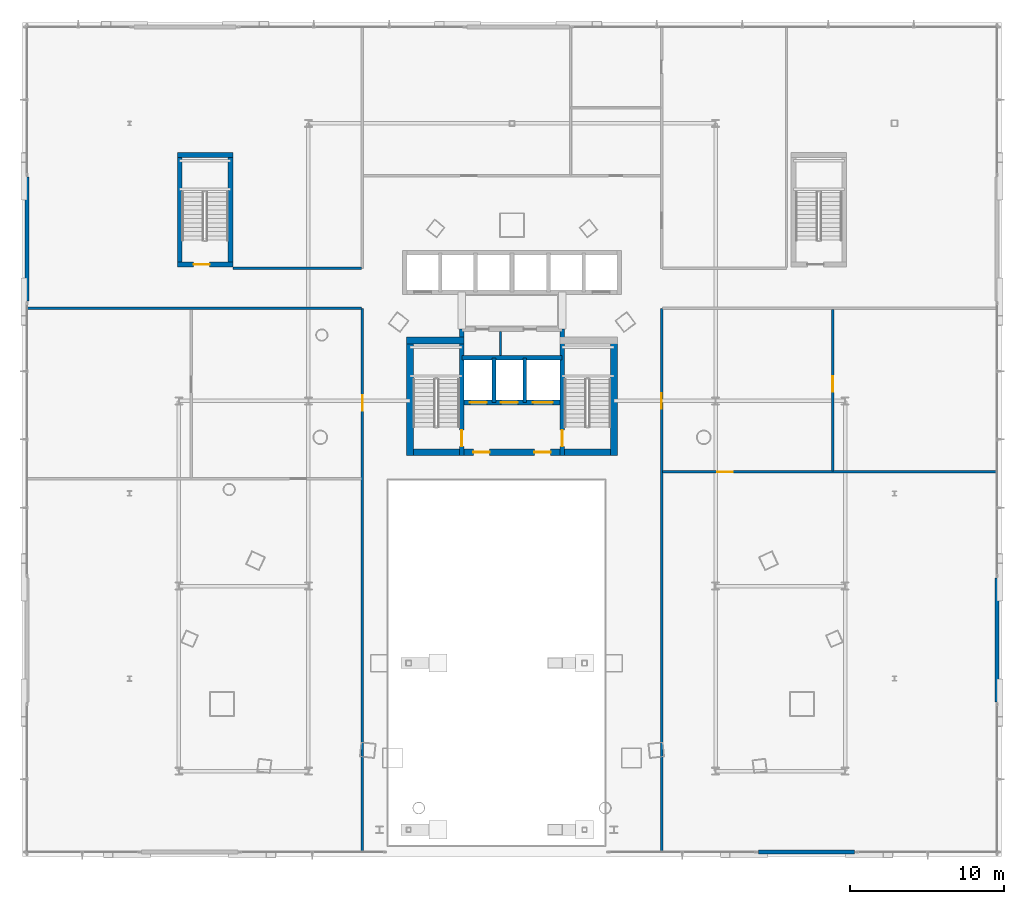
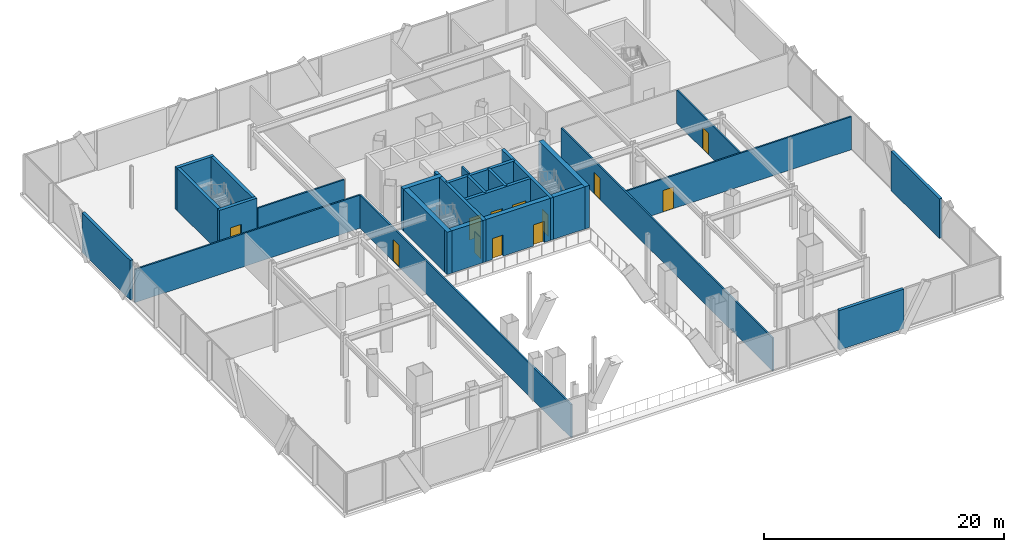
# One storey, part 33 of 42: 24 walls, 12 doors, 12 openings.
"""IFC4 building model written with IfcOpenShell, lengths in metres."""

from ifc_helpers import new_model, si_unit, direction, frame, frame_2d, origin, place, context, subcontext, project, spatial, rectangle, extrude, material, layer, layer_set, type_object, element, fill, save


model = new_model("IFC4")

# Units and contexts
model_context = context("Model", 3, precision=1e-05, world=origin(), true_north=direction((0.0, 1.0)))
body_context = subcontext(model_context, "Body", "Model", "MODEL_VIEW")
ifc_project = project(units=[si_unit("LENGTHUNIT", "METRE"), si_unit("AREAUNIT", "SQUARE_METRE"), si_unit("VOLUMEUNIT", "CUBIC_METRE"), si_unit("PLANEANGLEUNIT", "RADIAN"), si_unit("MASSUNIT", "GRAM", prefix="KILO")], contexts=[model_context])

# Site, building, storey
site_placement = place(None, origin())
site = spatial("IfcSite", under=ifc_project, at=site_placement, CompositionType="ELEMENT")
building_placement = place(site_placement, origin())
building = spatial("IfcBuilding", under=site, at=building_placement, Name="Orvanel Arch Residences", CompositionType="ELEMENT")
storey_placement = place(building_placement, frame((0.0, 0.0, 5.5)))
storey = spatial("IfcBuildingStorey", under=building, at=storey_placement, Name="L01", CompositionType="ELEMENT", Elevation=5.5)

# Walls
ifc_material_1 = material(Name="Precast concrete N50 (50 MPa)", Category="concrete")
ifc_layer_1 = layer(ifc_material_1, 0.280029296875)
ifc_layer_set_1 = layer_set([ifc_layer_1], Name="Precast concrete N50 (50 MPa)")
wall_type_1 = type_object("IfcWallType", Name="EW-POD-280", PredefinedType="SOLIDWALL", material=ifc_layer_set_1)
wall_1_placement = place(storey_placement, frame((55.219970703125, 0.75, 0.0), z_axis=(0.0, 0.0, 1.0), x_axis=(-1.0, 0.0, 0.0)))
element("IfcWall", 1, at=wall_1_placement, inside=storey, type_object=wall_type_1, Name="L01 Podium Solid Spandrel Panel Wall SEP", PredefinedType="SOLIDWALL", context=body_context, shape_type="SweptSolid", body=[
    extrude(rectangle(XDim=6.239990234375, YDim=0.280029296875, at=frame_2d((3.1201171875, 0.0))), origin(), (0.0, 0.0, 1.0), 4.02001953125),
])
for number, where, z_axis, x_axis, name in (
    (2, (64.449951171875, 10.47998046875, 0.0), (0.0, 0.0, 1.0), (0.0, 1.0, 0.0), "L01 Podium Solid E Panel Wall 1"),
    (3, (1.550048828125, 44.52001953125, 0.0), (0.0, 0.0, 1.0), (0.0, -1.0, 0.0), "L01 Podium Solid W Panel Wall 2"),
):
    element("IfcWall", number, at=place(storey_placement, frame(where, z_axis=z_axis, x_axis=x_axis)), inside=storey, type_object=wall_type_1, Name=name, PredefinedType="SOLIDWALL", context=body_context, shape_type="SweptSolid", body=[
        extrude(rectangle(XDim=8.0400390625, YDim=0.280029296875, at=frame_2d((4.02001953125, 0.0))), origin(), (0.0, 0.0, 1.0), 4.02001953125),
    ])
ifc_material_2 = material(Name="Concrete N50 (50 MPa)", Category="concrete")
ifc_layer_2 = layer(ifc_material_2, 0.25)
ifc_layer_set_2 = layer_set([ifc_layer_2], Name="Concrete N50 (50 MPa)")
wall_type_2 = type_object("IfcWallType", Name="SW-CORE-250", PredefinedType="SHEAR", material=ifc_layer_set_2)
for number, where, z_axis, x_axis, name in (
    (4, (31.824951171875, 29.89990234375, 0.0), (0.0, 0.0, 1.0), (0.0, 1.0, 0.0), "L01 Emergency Lift Inter-Shaft Wall F12"),
    (5, (33.824951171875, 29.89990234375, 0.0), (0.0, 0.0, 1.0), (0.0, 1.0, 0.0), "L01 Emergency Lift Inter-Shaft Wall F2G"),
):
    element("IfcWall", number, at=place(storey_placement, frame(where, z_axis=z_axis, x_axis=x_axis)), inside=storey, type_object=wall_type_2, Name=name, PredefinedType="SHEAR", context=body_context, shape_type="SweptSolid", body=[
        extrude(rectangle(XDim=2.900146484375, YDim=0.25, at=frame_2d((1.4501953125, 0.0))), origin(), (0.0, 0.0, 1.0), 4.300048828125),
    ])

# Wall, opening, door
ifc_material_3 = material(Name="Concrete S80 (80 MPa)", Category="concrete")
ifc_layer_3 = layer(ifc_material_3, 0.300048828125)
ifc_layer_set_3 = layer_set([ifc_layer_3], Name="Concrete S80 (80 MPa)")
wall_type_3 = type_object("IfcWallType", Name="SW-CORE-300", PredefinedType="SHEAR", material=ifc_layer_set_3)
wall_2_placement = place(storey_placement, frame((29.75, 26.449951171875, 0.0), z_axis=(0.0, 0.0, 1.0), x_axis=(0.0, 1.0, 0.0)))
wall_2 = element("IfcWall", 6, at=wall_2_placement, inside=storey, type_object=wall_type_3, Name="L01 West Inner Core Spine Shear Wall", PredefinedType="SHEAR", context=body_context, shape_type="SweptSolid", body=[
    extrude(rectangle(XDim=8.199951171875, YDim=0.300048828125, at=frame_2d((4.10009765625, 0.0))), origin(), (0.0, 0.0, 1.0), 4.300048828125),
])
opening_1_placement = place(wall_2_placement, frame((0.60009765625, 0.0, 0.0)))
opening_1 = element("IfcOpeningElement", 7, at=opening_1_placement, cuts=wall_2, Name="Opening DF-120", PredefinedType="OPENING", context=body_context, shape_type="SweptSolid", body=[
    extrude(rectangle(XDim=1.050048828125, YDim=2.14990234375, at=frame_2d((0.52490234375, 1.074951171875))), frame((0.0, 0.159912109375, 0.0), z_axis=(0.0, -1.0, 0.0), x_axis=(1.0, 0.0, 0.0)), (0.0, 0.0, 1.0), 0.320068359375),
])
ifc_material_4 = material(Name="Galvanised steel fire-resisting door assembly", Category="steel")
door_type_1 = type_object("IfcDoorType", Name="DR-FD120-1050", OperationType="NOTDEFINED", PredefinedType="DOOR", material=ifc_material_4)
door_1_placement = place(opening_1_placement, origin())
door_1 = element("IfcDoor", 8, at=door_1_placement, inside=storey, type_object=door_type_1, Name="DR-L01-ST1 L01 Stair 1 Fire Door", OperationType="SINGLE_SWING_LEFT", OverallHeight=2.14990234375, OverallWidth=1.050048828125, PredefinedType="DOOR", context=body_context, shape_type="SweptSolid", body=[
    extrude(rectangle(XDim=1.050048828125, YDim=2.14990234375, at=frame_2d((0.52490234375, 1.074951171875))), frame((0.0, 0.02490234375, 0.0), z_axis=(0.0, -1.0, 0.0), x_axis=(1.0, 0.0, 0.0)), (0.0, 0.0, 1.0), 0.050048828125),
])
fill(opening_1, door_1)

wall_3_placement = place(storey_placement, frame((36.25, 26.449951171875, 0.0), z_axis=(0.0, 0.0, 1.0), x_axis=(0.0, 1.0, 0.0)))
wall_3 = element("IfcWall", 9, at=wall_3_placement, inside=storey, type_object=wall_type_3, Name="L01 East Inner Core Spine Shear Wall", PredefinedType="SHEAR", context=body_context, shape_type="SweptSolid", body=[
    extrude(rectangle(XDim=8.199951171875, YDim=0.300048828125, at=frame_2d((4.10009765625, 0.0))), origin(), (0.0, 0.0, 1.0), 4.300048828125),
])
opening_2_placement = place(wall_3_placement, frame((0.60009765625, 0.0, 0.0)))
opening_2 = element("IfcOpeningElement", 10, at=opening_2_placement, cuts=wall_3, Name="Opening DF-120", PredefinedType="OPENING", context=body_context, shape_type="SweptSolid", body=[
    extrude(rectangle(XDim=1.050048828125, YDim=2.14990234375, at=frame_2d((0.52490234375, 1.074951171875))), frame((0.0, 0.159912109375, 0.0), z_axis=(0.0, -1.0, 0.0), x_axis=(1.0, 0.0, 0.0)), (0.0, 0.0, 1.0), 0.320068359375),
])
door_2_placement = place(opening_2_placement, origin())
door_2 = element("IfcDoor", 11, at=door_2_placement, inside=storey, type_object=door_type_1, Name="DR-L01-ST2 L01 Stair 2 Fire Door", OperationType="SINGLE_SWING_RIGHT", OverallHeight=2.14990234375, OverallWidth=1.050048828125, PredefinedType="DOOR", context=body_context, shape_type="SweptSolid", body=[
    extrude(rectangle(XDim=1.050048828125, YDim=2.14990234375, at=frame_2d((0.52490234375, 1.074951171875))), frame((0.0, 0.02490234375, 0.0), z_axis=(0.0, -1.0, 0.0), x_axis=(1.0, 0.0, 0.0)), (0.0, 0.0, 1.0), 0.050048828125),
])
fill(opening_2, door_2)

# Wall, openings, doors
wall_4_placement = place(storey_placement, frame((36.25, 29.89990234375, 0.0), z_axis=(0.0, 0.0, 1.0), x_axis=(-1.0, 0.0, 0.0)))
wall_4 = element("IfcWall", 12, at=wall_4_placement, inside=storey, type_object=wall_type_3, Name="L01 Emergency Lift Front Core Shear Wall", PredefinedType="SHEAR", context=body_context, shape_type="SweptSolid", body=[
    extrude(rectangle(XDim=6.5, YDim=0.300048828125, at=frame_2d((3.25, 0.0))), origin(), (0.0, 0.0, 1.0), 4.300048828125),
])
opening_3_placement = place(wall_4_placement, frame((4.875, 0.0, 0.0)))
opening_3 = element("IfcOpeningElement", 13, at=opening_3_placement, cuts=wall_4, Name="Opening LD-110", PredefinedType="OPENING", context=body_context, shape_type="SweptSolid", body=[
    extrude(rectangle(XDim=1.10009765625, YDim=2.199951171875, at=frame_2d((0.550048828125, 1.10009765625))), frame((0.0, 0.159912109375, 0.0), z_axis=(0.0, -1.0, 0.0), x_axis=(1.0, 0.0, 0.0)), (0.0, 0.0, 1.0), 0.320068359375),
])
opening_4_placement = place(wall_4_placement, frame((2.875, 0.0, 0.0)))
opening_4 = element("IfcOpeningElement", 14, at=opening_4_placement, cuts=wall_4, Name="Opening LD-110", PredefinedType="OPENING", context=body_context, shape_type="SweptSolid", body=[
    extrude(rectangle(XDim=1.10009765625, YDim=2.199951171875, at=frame_2d((0.550048828125, 1.10009765625))), frame((0.0, 0.159912109375, 0.0), z_axis=(0.0, -1.0, 0.0), x_axis=(1.0, 0.0, 0.0)), (0.0, 0.0, 1.0), 0.320068359375),
])
opening_5_placement = place(wall_4_placement, frame((0.60009765625, 0.0, 0.0)))
opening_5 = element("IfcOpeningElement", 15, at=opening_5_placement, cuts=wall_4, Name="Opening LD-130", PredefinedType="OPENING", context=body_context, shape_type="SweptSolid", body=[
    extrude(rectangle(XDim=1.300048828125, YDim=2.199951171875, at=frame_2d((0.64990234375, 1.10009765625))), frame((0.0, 0.159912109375, 0.0), z_axis=(0.0, -1.0, 0.0), x_axis=(1.0, 0.0, 0.0)), (0.0, 0.0, 1.0), 0.320068359375),
])
door_type_2 = type_object("IfcDoorType", Name="DR-LFT-1100", OperationType="NOTDEFINED", PredefinedType="DOOR", material=ifc_material_4)
door_3_placement = place(opening_3_placement, origin())
door_3 = element("IfcDoor", 16, at=door_3_placement, inside=storey, type_object=door_type_2, Name="LD-F1-L01 L01 Lift F1 Sliding Landing Door", OperationType="DOUBLE_DOOR_SLIDING", OverallHeight=2.199951171875, OverallWidth=1.10009765625, PredefinedType="DOOR", context=body_context, shape_type="SweptSolid", body=[
    extrude(rectangle(XDim=1.10009765625, YDim=2.199951171875, at=frame_2d((0.550048828125, 1.10009765625))), frame((0.0, 0.02490234375, 0.0), z_axis=(0.0, -1.0, 0.0), x_axis=(1.0, 0.0, 0.0)), (0.0, 0.0, 1.0), 0.050048828125),
])
fill(opening_3, door_3)
door_4_placement = place(opening_4_placement, origin())
door_4 = element("IfcDoor", 17, at=door_4_placement, inside=storey, type_object=door_type_2, Name="LD-F2-L01 L01 Lift F2 Sliding Landing Door", OperationType="DOUBLE_DOOR_SLIDING", OverallHeight=2.199951171875, OverallWidth=1.10009765625, PredefinedType="DOOR", context=body_context, shape_type="SweptSolid", body=[
    extrude(rectangle(XDim=1.10009765625, YDim=2.199951171875, at=frame_2d((0.550048828125, 1.10009765625))), frame((0.0, 0.02490234375, 0.0), z_axis=(0.0, -1.0, 0.0), x_axis=(1.0, 0.0, 0.0)), (0.0, 0.0, 1.0), 0.050048828125),
])
fill(opening_4, door_4)
door_type_3 = type_object("IfcDoorType", Name="DR-LFT-1300", OperationType="NOTDEFINED", PredefinedType="DOOR", material=ifc_material_4)
door_5_placement = place(opening_5_placement, origin())
door_5 = element("IfcDoor", 18, at=door_5_placement, inside=storey, type_object=door_type_3, Name="LD-G1-L01 L01 Lift G1 Sliding Landing Door", OperationType="DOUBLE_DOOR_SLIDING", OverallHeight=2.199951171875, OverallWidth=1.300048828125, PredefinedType="DOOR", context=body_context, shape_type="SweptSolid", body=[
    extrude(rectangle(XDim=1.300048828125, YDim=2.199951171875, at=frame_2d((0.64990234375, 1.10009765625))), frame((0.0, 0.02490234375, 0.0), z_axis=(0.0, -1.0, 0.0), x_axis=(1.0, 0.0, 0.0)), (0.0, 0.0, 1.0), 0.050048828125),
])
fill(opening_5, door_5)

# Walls
wall_5_placement = place(storey_placement, frame((29.75, 32.800048828125, 0.0), z_axis=(0.0, 0.0, 1.0), x_axis=(1.0, 0.0, 0.0)))
element("IfcWall", 19, at=wall_5_placement, inside=storey, type_object=wall_type_3, Name="L01 Emergency Lift Back Core Shear Wall", PredefinedType="SHEAR", context=body_context, shape_type="SweptSolid", body=[
    extrude(rectangle(XDim=6.5, YDim=0.300048828125, at=frame_2d((3.25, 0.0))), origin(), (0.0, 0.0, 1.0), 4.300048828125),
])
for number, where, z_axis, x_axis, name in (
    (20, (11.449951171875, 38.699951171875, 0.0), (0.0, 0.0, 1.0), (0.0, 1.0, 0.0), "L01 ST3 West Shear Wall"),
    (21, (14.75, 38.699951171875, 0.0), (0.0, 0.0, 1.0), (0.0, 1.0, 0.0), "L01 ST3 East Shear Wall"),
):
    element("IfcWall", number, at=place(storey_placement, frame(where, z_axis=z_axis, x_axis=x_axis)), inside=storey, type_object=wall_type_3, Name=name, PredefinedType="SHEAR", context=body_context, shape_type="SweptSolid", body=[
        extrude(rectangle(XDim=7.400146484375, YDim=0.300048828125, at=frame_2d((3.7001953125, 0.0))), origin(), (0.0, 0.0, 1.0), 4.300048828125),
    ])
wall_6_placement = place(storey_placement, frame((11.300048828125, 45.949951171875, 0.0), z_axis=(0.0, 0.0, 1.0), x_axis=(1.0, 0.0, 0.0)))
element("IfcWall", 22, at=wall_6_placement, inside=storey, type_object=wall_type_3, Name="L01 ST3 North Shear Wall", PredefinedType="SHEAR", context=body_context, shape_type="SweptSolid", body=[
    extrude(rectangle(XDim=3.599853515625, YDim=0.300048828125, at=frame_2d((1.7998046875, 0.0))), origin(), (0.0, 0.0, 1.0), 4.300048828125),
])

# Wall, opening, door
wall_7_placement = place(storey_placement, frame((11.300048828125, 38.85009765625, 0.0), z_axis=(0.0, 0.0, 1.0), x_axis=(1.0, 0.0, 0.0)))
wall_7 = element("IfcWall", 23, at=wall_7_placement, inside=storey, type_object=wall_type_3, Name="L01 ST3 South Shear Wall", PredefinedType="SHEAR", context=body_context, shape_type="SweptSolid", body=[
    extrude(rectangle(XDim=3.599853515625, YDim=0.300048828125, at=frame_2d((1.7998046875, 0.0))), origin(), (0.0, 0.0, 1.0), 4.300048828125),
])
opening_6_placement = place(wall_7_placement, frame((1.050048828125, 0.0, 0.0)))
opening_6 = element("IfcOpeningElement", 24, at=opening_6_placement, cuts=wall_7, Name="Opening DF-120", PredefinedType="OPENING", context=body_context, shape_type="SweptSolid", body=[
    extrude(rectangle(XDim=1.050048828125, YDim=2.14990234375, at=frame_2d((0.52490234375, 1.074951171875))), frame((0.0, 0.159912109375, 0.0), z_axis=(0.0, -1.0, 0.0), x_axis=(1.0, 0.0, 0.0)), (0.0, 0.0, 1.0), 0.320068359375),
])
door_6_placement = place(opening_6_placement, origin())
door_6 = element("IfcDoor", 25, at=door_6_placement, inside=storey, type_object=door_type_1, Name="DR-L01-ST3 L01 ST3 Exit Door", OperationType="SINGLE_SWING_LEFT", OverallHeight=2.14990234375, OverallWidth=1.050048828125, PredefinedType="DOOR", context=body_context, shape_type="SweptSolid", body=[
    extrude(rectangle(XDim=1.050048828125, YDim=2.14990234375, at=frame_2d((0.52490234375, 1.074951171875))), frame((0.0, 0.02490234375, 0.0), z_axis=(0.0, -1.0, 0.0), x_axis=(1.0, 0.0, 0.0)), (0.0, 0.0, 1.0), 0.050048828125),
])
fill(opening_6, door_6)

# Wall, openings, doors
ifc_layer_4 = layer(ifc_material_3, 0.449951171875)
ifc_layer_set_4 = layer_set([ifc_layer_4], Name="Concrete S80 (80 MPa)")
wall_type_4 = type_object("IfcWallType", Name="SW-CORE-450", PredefinedType="SHEAR", material=ifc_layer_set_4)
wall_8_placement = place(storey_placement, frame((26.14990234375, 26.675048828125, 0.0), z_axis=(0.0, 0.0, 1.0), x_axis=(1.0, 0.0, 0.0)))
wall_8 = element("IfcWall", 26, at=wall_8_placement, inside=storey, type_object=wall_type_4, Name="L01 South Core Shear Wall", PredefinedType="SHEAR", context=body_context, shape_type="SweptSolid", body=[
    extrude(rectangle(XDim=13.7001953125, YDim=0.449951171875, at=frame_2d((6.85009765625, 0.0))), origin(), (0.0, 0.0, 1.0), 4.300048828125),
])
opening_7_placement = place(wall_8_placement, frame((4.35009765625, 0.0, 0.0)))
opening_7 = element("IfcOpeningElement", 27, at=opening_7_placement, cuts=wall_8, Name="Opening DF-060", PredefinedType="OPENING", context=body_context, shape_type="SweptSolid", body=[
    extrude(rectangle(XDim=1.050048828125, YDim=2.14990234375, at=frame_2d((0.52490234375, 1.074951171875))), frame((0.0, 0.23486328125, 0.0), z_axis=(0.0, -1.0, 0.0), x_axis=(1.0, 0.0, 0.0)), (0.0, 0.0, 1.0), 0.469970703125),
])
opening_8_placement = place(wall_8_placement, frame((8.300048828125, 0.0, 0.0)))
opening_8 = element("IfcOpeningElement", 28, at=opening_8_placement, cuts=wall_8, Name="Opening DF-060", PredefinedType="OPENING", context=body_context, shape_type="SweptSolid", body=[
    extrude(rectangle(XDim=1.050048828125, YDim=2.14990234375, at=frame_2d((0.52490234375, 1.074951171875))), frame((0.0, 0.23486328125, 0.0), z_axis=(0.0, -1.0, 0.0), x_axis=(1.0, 0.0, 0.0)), (0.0, 0.0, 1.0), 0.469970703125),
])
door_type_4 = type_object("IfcDoorType", Name="DR-FD60-1050", OperationType="NOTDEFINED", PredefinedType="DOOR", material=ifc_material_4)
door_7_placement = place(opening_7_placement, origin())
door_7 = element("IfcDoor", 29, at=door_7_placement, inside=storey, type_object=door_type_4, Name="DR-L01-FFL-W L01 West Smoke Lobby Door", OperationType="SINGLE_SWING_LEFT", OverallHeight=2.14990234375, OverallWidth=1.050048828125, PredefinedType="DOOR", context=body_context, shape_type="SweptSolid", body=[
    extrude(rectangle(XDim=1.050048828125, YDim=2.14990234375, at=frame_2d((0.52490234375, 1.074951171875))), frame((0.0, 0.02490234375, 0.0), z_axis=(0.0, -1.0, 0.0), x_axis=(1.0, 0.0, 0.0)), (0.0, 0.0, 1.0), 0.050048828125),
])
fill(opening_7, door_7)
door_8_placement = place(opening_8_placement, origin())
door_8 = element("IfcDoor", 30, at=door_8_placement, inside=storey, type_object=door_type_4, Name="DR-L01-FFL-E L01 East Smoke Lobby Door", OperationType="SINGLE_SWING_RIGHT", OverallHeight=2.14990234375, OverallWidth=1.050048828125, PredefinedType="DOOR", context=body_context, shape_type="SweptSolid", body=[
    extrude(rectangle(XDim=1.050048828125, YDim=2.14990234375, at=frame_2d((0.52490234375, 1.074951171875))), frame((0.0, 0.02490234375, 0.0), z_axis=(0.0, -1.0, 0.0), x_axis=(1.0, 0.0, 0.0)), (0.0, 0.0, 1.0), 0.050048828125),
])
fill(opening_8, door_8)

# Walls
wall_9_placement = place(storey_placement, frame((26.375, 26.449951171875, 0.0), z_axis=(0.0, 0.0, 1.0), x_axis=(0.0, 1.0, 0.0)))
element("IfcWall", 31, at=wall_9_placement, inside=storey, type_object=wall_type_4, Name="L01 West Stair Shear Wall", PredefinedType="SHEAR", context=body_context, shape_type="SweptSolid", body=[
    extrude(rectangle(XDim=7.699951171875, YDim=0.449951171875, at=frame_2d((3.85009765625, 0.0))), origin(), (0.0, 0.0, 1.0), 4.300048828125),
])
wall_10_placement = place(storey_placement, frame((26.14990234375, 33.925048828125, 0.0), z_axis=(0.0, 0.0, 1.0), x_axis=(1.0, 0.0, 0.0)))
element("IfcWall", 32, at=wall_10_placement, inside=storey, type_object=wall_type_4, Name="L01 West Stair North Shear Wall", PredefinedType="SHEAR", context=body_context, shape_type="SweptSolid", body=[
    extrude(rectangle(XDim=3.75, YDim=0.449951171875, at=frame_2d((1.875, 0.0))), origin(), (0.0, 0.0, 1.0), 4.300048828125),
])
wall_11_placement = place(storey_placement, frame((39.625, 26.449951171875, 0.0), z_axis=(0.0, 0.0, 1.0), x_axis=(0.0, 1.0, 0.0)))
element("IfcWall", 33, at=wall_11_placement, inside=storey, type_object=wall_type_4, Name="L01 East Stair Shear Wall", PredefinedType="SHEAR", context=body_context, shape_type="SweptSolid", body=[
    extrude(rectangle(XDim=7.699951171875, YDim=0.449951171875, at=frame_2d((3.85009765625, 0.0))), origin(), (0.0, 0.0, 1.0), 4.300048828125),
])

# Wall, opening, door
ifc_material_5 = material(Name="Acoustic plasterboard lined twin-stud partition", Category="gypsum")
ifc_layer_5 = layer(ifc_material_5, 0.14990234375)
ifc_layer_set_5 = layer_set([ifc_layer_5], Name="Acoustic plasterboard lined twin-stud partition")
wall_type_5 = type_object("IfcWallType", Name="W-POD-150", PredefinedType="PARTITIONING", material=ifc_layer_set_5)
wall_12_placement = place(storey_placement, frame((23.300048828125, 0.764892578125, 0.0), z_axis=(0.0, 0.0, 1.0), x_axis=(0.0, 1.0, 0.0)))
wall_12 = element("IfcWall", 34, at=wall_12_placement, inside=storey, type_object=wall_type_5, Name="L01 West Wing Corridor Wall", PredefinedType="PARTITIONING", context=body_context, shape_type="SweptSolid", body=[
    extrude(rectangle(XDim=35.235107421875, YDim=0.14990234375, at=frame_2d((17.61767578125, 0.0))), origin(), (0.0, 0.0, 1.0), 3.373046875),
])
opening_9_placement = place(wall_12_placement, frame((28.610107421875, 0.0, 0.0)))
opening_9 = element("IfcOpeningElement", 35, at=opening_9_placement, cuts=wall_12, Name="Opening DP-100", PredefinedType="OPENING", context=body_context, shape_type="SweptSolid", body=[
    extrude(rectangle(XDim=1.0, YDim=2.199951171875, at=frame_2d((0.5, 1.10009765625))), frame((0.0, 0.0849609375, 0.0), z_axis=(0.0, -1.0, 0.0), x_axis=(1.0, 0.0, 0.0)), (0.0, 0.0, 1.0), 0.169921875),
])
ifc_material_6 = material(Name="Solid-core European oak veneer fire door leaf", Category="wood")
door_type_5 = type_object("IfcDoorType", Name="DR-POD-1000", OperationType="NOTDEFINED", PredefinedType="DOOR", material=ifc_material_6)
door_9_placement = place(opening_9_placement, origin())
door_9 = element("IfcDoor", 36, at=door_9_placement, inside=storey, type_object=door_type_5, Name="DR-L01-SWA L01 Allied Health Consulting Suite Door", OperationType="SINGLE_SWING_LEFT", OverallHeight=2.199951171875, OverallWidth=1.0, PredefinedType="DOOR", context=body_context, shape_type="SweptSolid", body=[
    extrude(rectangle(XDim=1.0, YDim=2.199951171875, at=frame_2d((0.5, 1.10009765625))), frame((0.0, 0.02490234375, 0.0), z_axis=(0.0, -1.0, 0.0), x_axis=(1.0, 0.0, 0.0)), (0.0, 0.0, 1.0), 0.050048828125),
])
fill(opening_9, door_9)

# Wall
wall_13_placement = place(storey_placement, frame((1.56494140625, 36.0, 0.0), z_axis=(0.0, 0.0, 1.0), x_axis=(1.0, 0.0, 0.0)))
element("IfcWall", 37, at=wall_13_placement, inside=storey, type_object=wall_type_5, Name="L01 West Wing North Wall", PredefinedType="PARTITIONING", context=body_context, shape_type="SweptSolid", body=[
    extrude(rectangle(XDim=21.675048828125, YDim=0.14990234375, at=frame_2d((10.83740234375, 0.0))), origin(), (0.0, 0.0, 1.0), 3.373046875),
])

# Wall, opening, door
wall_14_placement = place(storey_placement, frame((42.699951171875, 0.764892578125, 0.0), z_axis=(0.0, 0.0, 1.0), x_axis=(0.0, 1.0, 0.0)))
wall_14 = element("IfcWall", 38, at=wall_14_placement, inside=storey, type_object=wall_type_5, Name="L01 East Wing Corridor Wall", PredefinedType="PARTITIONING", context=body_context, shape_type="SweptSolid", body=[
    extrude(rectangle(XDim=35.235107421875, YDim=0.14990234375, at=frame_2d((17.61767578125, 0.0))), origin(), (0.0, 0.0, 1.0), 3.373046875),
])
opening_10_placement = place(wall_14_placement, frame((28.735107421875, 0.0, 0.0)))
opening_10 = element("IfcOpeningElement", 39, at=opening_10_placement, cuts=wall_14, Name="Opening DP-100", PredefinedType="OPENING", context=body_context, shape_type="SweptSolid", body=[
    extrude(rectangle(XDim=1.0, YDim=2.199951171875, at=frame_2d((0.5, 1.10009765625))), frame((0.0, 0.0849609375, 0.0), z_axis=(0.0, -1.0, 0.0), x_axis=(1.0, 0.0, 0.0)), (0.0, 0.0, 1.0), 0.169921875),
])
door_10_placement = place(opening_10_placement, origin())
door_10 = element("IfcDoor", 40, at=door_10_placement, inside=storey, type_object=door_type_5, Name="DR-L01-SEA L01 Pathology Specimen Clinic Door", OperationType="SINGLE_SWING_RIGHT", OverallHeight=2.199951171875, OverallWidth=1.0, PredefinedType="DOOR", context=body_context, shape_type="SweptSolid", body=[
    extrude(rectangle(XDim=1.0, YDim=2.199951171875, at=frame_2d((0.5, 1.10009765625))), frame((0.0, 0.02490234375, 0.0), z_axis=(0.0, -1.0, 0.0), x_axis=(1.0, 0.0, 0.0)), (0.0, 0.0, 1.0), 0.050048828125),
])
fill(opening_10, door_10)

wall_15_placement = place(storey_placement, frame((42.760009765625, 25.39990234375, 0.0), z_axis=(0.0, 0.0, 1.0), x_axis=(1.0, 0.0, 0.0)))
wall_15 = element("IfcWall", 41, at=wall_15_placement, inside=storey, type_object=wall_type_5, Name="L01 East Wing Split Wall", PredefinedType="PARTITIONING", context=body_context, shape_type="SweptSolid", body=[
    extrude(rectangle(XDim=21.675048828125, YDim=0.14990234375, at=frame_2d((10.83740234375, 0.0))), origin(), (0.0, 0.0, 1.0), 3.373046875),
])
opening_11_placement = place(wall_15_placement, frame((3.5400390625, 0.0, 0.0)))
opening_11 = element("IfcOpeningElement", 42, at=opening_11_placement, cuts=wall_15, Name="Opening DP-100", PredefinedType="OPENING", context=body_context, shape_type="SweptSolid", body=[
    extrude(rectangle(XDim=1.0, YDim=2.199951171875, at=frame_2d((0.5, 1.10009765625))), frame((0.0, 0.0849609375, 0.0), z_axis=(0.0, -1.0, 0.0), x_axis=(1.0, 0.0, 0.0)), (0.0, 0.0, 1.0), 0.169921875),
])
door_11_placement = place(opening_11_placement, origin())
door_11 = element("IfcDoor", 43, at=door_11_placement, inside=storey, type_object=door_type_5, Name="DR-L01-SEB L01 Clinical Equipment Store Door", OperationType="SINGLE_SWING_RIGHT", OverallHeight=2.199951171875, OverallWidth=1.0, PredefinedType="DOOR", context=body_context, shape_type="SweptSolid", body=[
    extrude(rectangle(XDim=1.0, YDim=2.199951171875, at=frame_2d((0.5, 1.10009765625))), frame((0.0, 0.02490234375, 0.0), z_axis=(0.0, -1.0, 0.0), x_axis=(1.0, 0.0, 0.0)), (0.0, 0.0, 1.0), 0.050048828125),
])
fill(opening_11, door_11)

wall_16_placement = place(storey_placement, frame((53.800048828125, 25.4599609375, 0.0), z_axis=(0.0, 0.0, 1.0), x_axis=(0.0, 1.0, 0.0)))
wall_16 = element("IfcWall", 44, at=wall_16_placement, inside=storey, type_object=wall_type_5, Name="L01 East Suite Inner Partition", PredefinedType="PARTITIONING", context=body_context, shape_type="SweptSolid", body=[
    extrude(rectangle(XDim=10.47998046875, YDim=0.14990234375, at=frame_2d((5.239990234375, 0.0))), origin(), (0.0, 0.0, 1.0), 3.373046875),
])
opening_12_placement = place(wall_16_placement, frame((5.135009765625, 0.0, 0.0)))
opening_12 = element("IfcOpeningElement", 45, at=opening_12_placement, cuts=wall_16, Name="Opening DP-100", PredefinedType="OPENING", context=body_context, shape_type="SweptSolid", body=[
    extrude(rectangle(XDim=1.0, YDim=2.199951171875, at=frame_2d((0.5, 1.10009765625))), frame((0.0, 0.0849609375, 0.0), z_axis=(0.0, -1.0, 0.0), x_axis=(1.0, 0.0, 0.0)), (0.0, 0.0, 1.0), 0.169921875),
])
door_12_placement = place(opening_12_placement, origin())
door_12 = element("IfcDoor", 46, at=door_12_placement, inside=storey, type_object=door_type_5, Name="DR-L01-SEA2 L01 East Clinical Store Door", OperationType="SINGLE_SWING_RIGHT", OverallHeight=2.199951171875, OverallWidth=1.0, PredefinedType="DOOR", context=body_context, shape_type="SweptSolid", body=[
    extrude(rectangle(XDim=1.0, YDim=2.199951171875, at=frame_2d((0.5, 1.10009765625))), frame((0.0, 0.02490234375, 0.0), z_axis=(0.0, -1.0, 0.0), x_axis=(1.0, 0.0, 0.0)), (0.0, 0.0, 1.0), 0.050048828125),
])
fill(opening_12, door_12)

# Walls
wall_17_placement = place(storey_placement, frame((14.89990234375, 38.60009765625, 0.0), z_axis=(0.0, 0.0, 1.0), x_axis=(1.0, 0.0, 0.0)))
element("IfcWall", 47, at=wall_17_placement, inside=storey, type_object=wall_type_5, Name="L01 NW Corridor South Wall", PredefinedType="PARTITIONING", context=body_context, shape_type="SweptSolid", body=[
    extrude(rectangle(XDim=8.340087890625, YDim=0.14990234375, at=frame_2d((4.169921875, 0.0))), origin(), (0.0, 0.0, 1.0), 3.373046875),
])
ifc_material_7 = material(Name="Fire-rated plasterboard lined steel stud partition", Category="steel")
ifc_layer_6 = layer(ifc_material_7, 0.14990234375)
ifc_layer_set_6 = layer_set([ifc_layer_6], Name="Fire-rated plasterboard lined steel stud partition")
wall_type_6 = type_object("IfcWallType", Name="W-ST-150", PredefinedType="PARTITIONING", material=ifc_layer_set_6)
wall_18_placement = place(storey_placement, frame((32.25, 32.93505859375, 0.0), z_axis=(0.0, 0.0, 1.0), x_axis=(0.0, 1.0, 0.0)))
element("IfcWall", 48, at=wall_18_placement, inside=storey, type_object=wall_type_6, Name="L01 Core Service Partition 1", PredefinedType="PARTITIONING", context=body_context, shape_type="SweptSolid", body=[
    extrude(rectangle(XDim=1.579833984375, YDim=0.14990234375, at=frame_2d((0.7900390625, 0.0))), origin(), (0.0, 0.0, 1.0), 4.02001953125),
])

save(model, "model.ifc")
